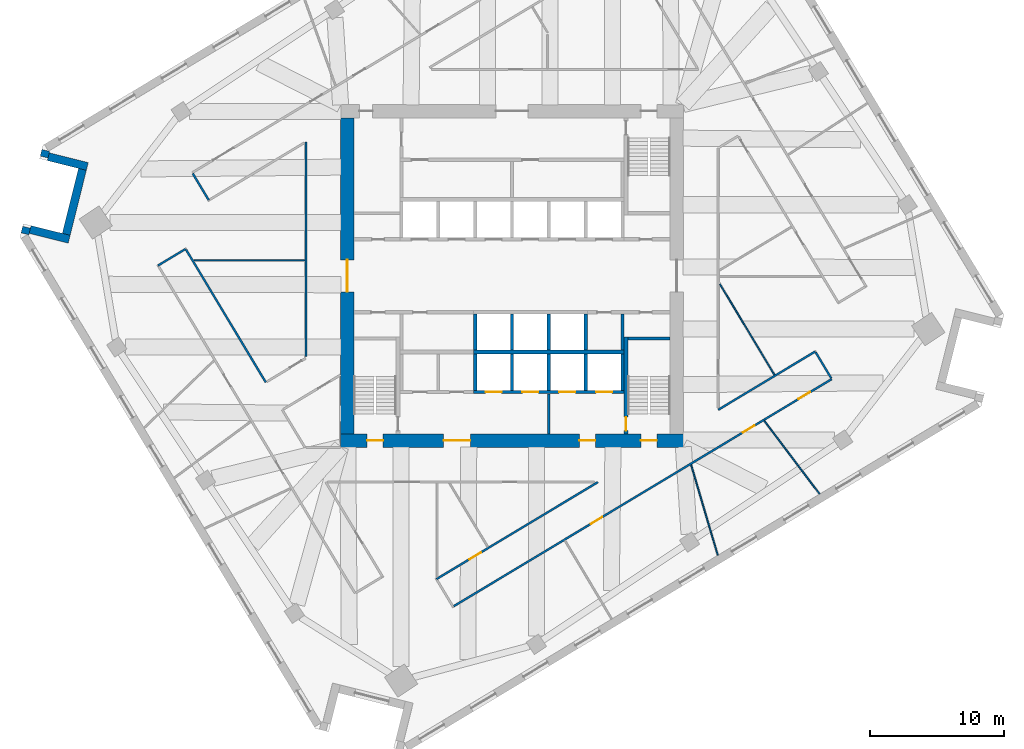
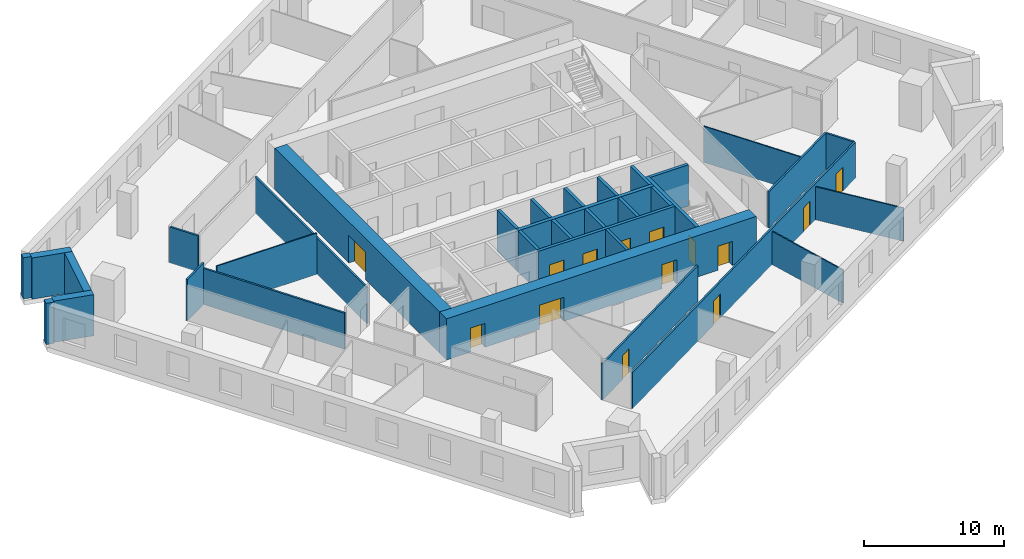
# One storey, part 7 of 14: 34 walls, 14 doors, 14 openings.
"""IFC4 building model written with IfcOpenShell, lengths in metres."""

from ifc_helpers import new_model, si_unit, direction, frame, frame_2d, origin, place, context, subcontext, project, spatial, rectangle, extrude, material, layer, layer_set, type_object, element, fill, save


model = new_model("IFC4")

# Units and contexts
model_context = context("Model", 3, precision=1e-05, world=origin(), true_north=direction((0.0, 1.0)))
body_context = subcontext(model_context, "Body", "Model", "MODEL_VIEW")
ifc_project = project(units=[si_unit("LENGTHUNIT", "METRE"), si_unit("AREAUNIT", "SQUARE_METRE"), si_unit("VOLUMEUNIT", "CUBIC_METRE"), si_unit("PLANEANGLEUNIT", "RADIAN"), si_unit("MASSUNIT", "GRAM", prefix="KILO")], contexts=[model_context])

# Site, building, storey
site_placement = place(None, origin())
site = spatial("IfcSite", under=ifc_project, at=site_placement, CompositionType="ELEMENT")
building_placement = place(site_placement, origin())
building = spatial("IfcBuilding", under=site, at=building_placement, Name="Dilmun Exchange Tower", CompositionType="ELEMENT")
storey_placement = place(building_placement, frame((0.0, 0.0, 151.699951171875)))
storey = spatial("IfcBuildingStorey", under=building, at=storey_placement, Name="L35", CompositionType="ELEMENT", Elevation=151.699951171875)

# Walls
ifc_material_1 = material(Name="Concrete C40/50", Category="concrete")
ifc_layer_1 = layer(ifc_material_1, 0.199951171875)
ifc_layer_set_1 = layer_set([ifc_layer_1], Name="Concrete C40/50")
wall_type_1 = type_object("IfcWallType", Name="Core partition wall 200", PredefinedType="PARTITIONING", material=ifc_layer_set_1)
wall_1_placement = place(storey_placement, frame((2.75, -11.794921875, 0.0), z_axis=(0.0, 0.0, 1.0), x_axis=(0.0, 1.0, 0.0)))
element("IfcWall", 1, at=wall_1_placement, inside=storey, type_object=wall_type_1, Name="L35 core partition wall 01", PredefinedType="PARTITIONING", context=body_context, shape_type="SweptSolid", body=[
    extrude(rectangle(XDim=2.989990234375, YDim=0.199951171875, at=frame_2d((1.4951171875, 0.0))), origin(), (0.0, 0.0, 1.0), 3.60009765625),
])
ifc_layer_2 = layer(ifc_material_1, 0.25)
ifc_layer_set_2 = layer_set([ifc_layer_2], Name="Concrete C40/50")
wall_type_2 = type_object("IfcWallType", Name="Core partition wall 250", PredefinedType="PARTITIONING", material=ifc_layer_set_2)
wall_2_placement = place(storey_placement, frame((8.25, -5.544921875, 0.0), z_axis=(0.0, 0.0, 1.0), x_axis=(0.0, 1.0, 0.0)))
element("IfcWall", 2, at=wall_2_placement, inside=storey, type_object=wall_type_2, Name="L35 core partition wall 07", PredefinedType="PARTITIONING", context=body_context, shape_type="SweptSolid", body=[
    extrude(rectangle(XDim=2.68994140625, YDim=0.25, at=frame_2d((1.344970703125, 0.0))), origin(), (0.0, 0.0, 1.0), 3.60009765625),
])

# Wall, openings, doors
ifc_material_2 = material(Name="Concrete C70/85", Category="concrete")
ifc_layer_3 = layer(ifc_material_2, 1.0)
ifc_layer_set_3 = layer_set([ifc_layer_3], Name="Concrete C70/85")
wall_type_3 = type_object("IfcWallType", Name="Core shear wall 1000 Concrete C70/85", PredefinedType="SHEAR", material=ifc_layer_set_3)
wall_3_placement = place(storey_placement, frame((-12.800048828125, -12.300048828125, 0.0), z_axis=(0.0, 0.0, 1.0), x_axis=(1.0, 0.0, 0.0)))
wall_3 = element("IfcWall", 3, at=wall_3_placement, inside=storey, type_object=wall_type_3, Name="L35 core shear wall S", PredefinedType="SHEAR", context=body_context, shape_type="SweptSolid", body=[
    extrude(rectangle(XDim=25.60009765625, YDim=1.0, at=frame_2d((12.800048828125, 0.0))), origin(), (0.0, 0.0, 1.0), 3.60009765625),
])
opening_1_placement = place(wall_3_placement, frame((7.699951171875, 0.0, 0.0)))
opening_1 = element("IfcOpeningElement", 4, at=opening_1_placement, cuts=wall_3, Name="Opening CD2", PredefinedType="OPENING", context=body_context, shape_type="SweptSolid", body=[
    extrude(rectangle(XDim=2.0, YDim=2.10009765625, at=frame_2d((1.0, 1.050048828125))), frame((0.0, 0.510009765625, 0.0), z_axis=(0.0, -1.0, 0.0), x_axis=(1.0, 0.0, 0.0)), (0.0, 0.0, 1.0), 1.02001953125),
])
opening_2_placement = place(wall_3_placement, frame((17.824951171875, 0.0, 0.0)))
opening_2 = element("IfcOpeningElement", 5, at=opening_2_placement, cuts=wall_3, Name="Opening CD3", PredefinedType="OPENING", context=body_context, shape_type="SweptSolid", body=[
    extrude(rectangle(XDim=1.199951171875, YDim=2.10009765625, at=frame_2d((0.60009765625, 1.050048828125))), frame((0.0, 0.510009765625, 0.0), z_axis=(0.0, -1.0, 0.0), x_axis=(1.0, 0.0, 0.0)), (0.0, 0.0, 1.0), 1.02001953125),
])
opening_3_placement = place(wall_3_placement, frame((1.97509765625, 0.0, 0.0)))
opening_3 = element("IfcOpeningElement", 6, at=opening_3_placement, cuts=wall_3, Name="Opening CD3", PredefinedType="OPENING", context=body_context, shape_type="SweptSolid", body=[
    extrude(rectangle(XDim=1.199951171875, YDim=2.10009765625, at=frame_2d((0.60009765625, 1.050048828125))), frame((0.0, 0.510009765625, 0.0), z_axis=(0.0, -1.0, 0.0), x_axis=(1.0, 0.0, 0.0)), (0.0, 0.0, 1.0), 1.02001953125),
])
opening_4_placement = place(wall_3_placement, frame((22.425048828125, 0.0, 0.0)))
opening_4 = element("IfcOpeningElement", 7, at=opening_4_placement, cuts=wall_3, Name="Opening CD3", PredefinedType="OPENING", context=body_context, shape_type="SweptSolid", body=[
    extrude(rectangle(XDim=1.199951171875, YDim=2.10009765625, at=frame_2d((0.60009765625, 1.050048828125))), frame((0.0, 0.510009765625, 0.0), z_axis=(0.0, -1.0, 0.0), x_axis=(1.0, 0.0, 0.0)), (0.0, 0.0, 1.0), 1.02001953125),
])
ifc_material_3 = material(Name="Fire-rated steel door set", Category="steel")
door_type_1 = type_object("IfcDoorType", Name="Core service door 2000x2100", OperationType="DOUBLE_DOOR_DOUBLE_SWING", PredefinedType="DOOR", material=ifc_material_3)
door_1_placement = place(opening_1_placement, origin())
door_1 = element("IfcDoor", 8, at=door_1_placement, inside=storey, type_object=door_type_1, Name="L35 door South service lobby", OperationType="SINGLE_SWING_LEFT", OverallHeight=2.10009765625, OverallWidth=2.0, PredefinedType="DOOR", context=body_context, shape_type="SweptSolid", body=[
    extrude(rectangle(XDim=2.0, YDim=2.10009765625, at=frame_2d((1.0, 1.050048828125))), frame((0.0, 0.02490234375, 0.0), z_axis=(0.0, -1.0, 0.0), x_axis=(1.0, 0.0, 0.0)), (0.0, 0.0, 1.0), 0.050048828125),
])
fill(opening_1, door_1)
door_type_2 = type_object("IfcDoorType", Name="Stair exit door 1200x2100", OperationType="SINGLE_SWING_LEFT", PredefinedType="DOOR", material=ifc_material_3)
door_2_placement = place(opening_2_placement, origin())
door_2 = element("IfcDoor", 9, at=door_2_placement, inside=storey, type_object=door_type_2, Name="L35 door Fire-fighting lobby", OperationType="SINGLE_SWING_LEFT", OverallHeight=2.10009765625, OverallWidth=1.199951171875, PredefinedType="DOOR", context=body_context, shape_type="SweptSolid", body=[
    extrude(rectangle(XDim=1.199951171875, YDim=2.10009765625, at=frame_2d((0.60009765625, 1.050048828125))), frame((0.0, 0.02490234375, 0.0), z_axis=(0.0, -1.0, 0.0), x_axis=(1.0, 0.0, 0.0)), (0.0, 0.0, 1.0), 0.050048828125),
])
fill(opening_2, door_2)
door_3_placement = place(opening_3_placement, origin())
door_3 = element("IfcDoor", 10, at=door_3_placement, inside=storey, type_object=door_type_2, Name="L35 door Stair ST2", OperationType="SINGLE_SWING_LEFT", OverallHeight=2.10009765625, OverallWidth=1.199951171875, PredefinedType="DOOR", context=body_context, shape_type="SweptSolid", body=[
    extrude(rectangle(XDim=1.199951171875, YDim=2.10009765625, at=frame_2d((0.60009765625, 1.050048828125))), frame((0.0, 0.02490234375, 0.0), z_axis=(0.0, -1.0, 0.0), x_axis=(1.0, 0.0, 0.0)), (0.0, 0.0, 1.0), 0.050048828125),
])
fill(opening_3, door_3)
door_4_placement = place(opening_4_placement, origin())
door_4 = element("IfcDoor", 11, at=door_4_placement, inside=storey, type_object=door_type_2, Name="L35 door Stair ST3", OperationType="SINGLE_SWING_LEFT", OverallHeight=2.10009765625, OverallWidth=1.199951171875, PredefinedType="DOOR", context=body_context, shape_type="SweptSolid", body=[
    extrude(rectangle(XDim=1.199951171875, YDim=2.10009765625, at=frame_2d((0.60009765625, 1.050048828125))), frame((0.0, 0.02490234375, 0.0), z_axis=(0.0, -1.0, 0.0), x_axis=(1.0, 0.0, 0.0)), (0.0, 0.0, 1.0), 0.050048828125),
])
fill(opening_4, door_4)

# Wall, opening, door
wall_4_placement = place(storey_placement, frame((-12.300048828125, -11.800048828125, 0.0), z_axis=(0.0, 0.0, 1.0), x_axis=(0.0, 1.0, 0.0)))
wall_4 = element("IfcWall", 12, at=wall_4_placement, inside=storey, type_object=wall_type_3, Name="L35 core shear wall W", PredefinedType="SHEAR", context=body_context, shape_type="SweptSolid", body=[
    extrude(rectangle(XDim=23.60009765625, YDim=1.0, at=frame_2d((11.800048828125, 0.0))), origin(), (0.0, 0.0, 1.0), 3.60009765625),
])
opening_5_placement = place(wall_4_placement, frame((10.60009765625, 0.0, 0.0)))
opening_5 = element("IfcOpeningElement", 13, at=opening_5_placement, cuts=wall_4, Name="Opening CD1", PredefinedType="OPENING", context=body_context, shape_type="SweptSolid", body=[
    extrude(rectangle(XDim=2.39990234375, YDim=2.39990234375, at=frame_2d((1.199951171875, 1.199951171875))), frame((0.0, 0.510009765625, 0.0), z_axis=(0.0, -1.0, 0.0), x_axis=(1.0, 0.0, 0.0)), (0.0, 0.0, 1.0), 1.02001953125),
])
door_type_3 = type_object("IfcDoorType", Name="Core lobby door 2400x2400", OperationType="DOUBLE_DOOR_DOUBLE_SWING", PredefinedType="DOOR", material=ifc_material_3)
door_5_placement = place(opening_5_placement, origin())
door_5 = element("IfcDoor", 14, at=door_5_placement, inside=storey, type_object=door_type_3, Name="L35 door Central lift lobby", OperationType="SINGLE_SWING_LEFT", OverallHeight=2.39990234375, OverallWidth=2.39990234375, PredefinedType="DOOR", context=body_context, shape_type="SweptSolid", body=[
    extrude(rectangle(XDim=2.39990234375, YDim=2.39990234375, at=frame_2d((1.199951171875, 1.199951171875))), frame((0.0, 0.02490234375, 0.0), z_axis=(0.0, -1.0, 0.0), x_axis=(1.0, 0.0, 0.0)), (0.0, 0.0, 1.0), 0.050048828125),
])
fill(opening_5, door_5)

# Walls
ifc_material_4 = material(Name="Corridor wall 150")
ifc_layer_4 = layer(ifc_material_4, 0.14990234375)
ifc_layer_set_4 = layer_set([ifc_layer_4], Name="Corridor wall 150")
wall_type_4 = type_object("IfcWallType", Name="Corridor wall 150", PredefinedType="PARTITIONING", material=ifc_layer_set_4)
wall_5_placement = place(storey_placement, frame((-26.427001953125, 0.77490234375, 0.0), z_axis=(0.0, 0.0, 1.0), x_axis=(0.857133645358, 0.515094082664, 0.0)))
element("IfcWall", 15, at=wall_5_placement, inside=storey, type_object=wall_type_4, Name="Corridor wall", PredefinedType="PARTITIONING", context=body_context, shape_type="SweptSolid", body=[
    extrude(rectangle(XDim=2.399658203125, YDim=0.14990234375, at=frame_2d((1.19970703125, 0.0))), origin(), (0.0, 0.0, 1.0), 3.60009765625),
])
wall_6_placement = place(storey_placement, frame((-24.331298828125, 1.94677734375, 0.0), z_axis=(0.0, 0.0, 1.0), x_axis=(0.51502118809, -0.857177447101, 0.0)))
element("IfcWall", 16, at=wall_6_placement, inside=storey, type_object=wall_type_4, Name="Corridor wall", PredefinedType="PARTITIONING", context=body_context, shape_type="SweptSolid", body=[
    extrude(rectangle(XDim=11.545654296875, YDim=0.14990234375, at=frame_2d((5.77294921875, 0.0))), origin(), (0.0, 0.0, 1.0), 3.150146484375),
])
wall_7_placement = place(storey_placement, frame((-23.83740234375, 7.642578125, 0.0), z_axis=(0.0, 0.0, 1.0), x_axis=(0.514912515352, -0.857242731981, 0.0)))
element("IfcWall", 17, at=wall_7_placement, inside=storey, type_object=wall_type_4, Name="Corridor wall", PredefinedType="PARTITIONING", context=body_context, shape_type="SweptSolid", body=[
    extrude(rectangle(XDim=2.32568359375, YDim=0.14990234375, at=frame_2d((1.162841796875, 0.0))), origin(), (0.0, 0.0, 1.0), 3.150146484375),
])
wall_8_placement = place(storey_placement, frame((-15.39990234375, -6.0234375, 0.0), z_axis=(0.0, 0.0, 1.0), x_axis=(0.0, 1.0, 0.0)))
element("IfcWall", 18, at=wall_8_placement, inside=storey, type_object=wall_type_4, Name="Corridor wall", PredefinedType="PARTITIONING", context=body_context, shape_type="SweptSolid", body=[
    extrude(rectangle(XDim=16.0234375, YDim=0.14990234375, at=frame_2d((8.01171875, 0.0))), origin(), (0.0, 0.0, 1.0), 3.150146484375),
])

# Wall, opening, door
wall_9_placement = place(storey_placement, frame((-5.64111328125, -22.64208984375, 0.0), z_axis=(0.0, 0.0, 1.0), x_axis=(0.857171047011, 0.515031839954, 0.0)))
wall_9 = element("IfcWall", 19, at=wall_9_placement, inside=storey, type_object=wall_type_4, Name="Corridor wall", PredefinedType="PARTITIONING", context=body_context, shape_type="SweptSolid", body=[
    extrude(rectangle(XDim=14.0615234375, YDim=0.14990234375, at=frame_2d((7.03076171875, 0.0))), origin(), (0.0, 0.0, 1.0), 3.150146484375),
])
opening_6_placement = place(wall_9_placement, frame((2.867431640625, 0.0, 0.0)))
opening_6 = element("IfcOpeningElement", 20, at=opening_6_placement, cuts=wall_9, Name="Opening TF34-D11", PredefinedType="OPENING", context=body_context, shape_type="SweptSolid", body=[
    extrude(rectangle(XDim=1.0, YDim=2.10009765625, at=frame_2d((0.5, 1.050048828125))), frame((0.0, 0.0849609375, 0.0), z_axis=(0.0, -1.0, 0.0), x_axis=(1.0, 0.0, 0.0)), (0.0, 0.0, 1.0), 0.169921875),
])
ifc_material_5 = material(Name="Fire door 1000 x 2100")
door_type_4 = type_object("IfcDoorType", Name="Fire door 1000 x 2100", OperationType="NOTDEFINED", PredefinedType="DOOR", material=ifc_material_5)
door_6_placement = place(opening_6_placement, origin())
door_6 = element("IfcDoor", 21, at=door_6_placement, inside=storey, type_object=door_type_4, Name="Door TF34-D11", OperationType="SINGLE_SWING_LEFT", OverallHeight=2.10009765625, OverallWidth=1.0, PredefinedType="DOOR", context=body_context, shape_type="SweptSolid", body=[
    extrude(rectangle(XDim=1.0, YDim=2.10009765625, at=frame_2d((0.5, 1.050048828125))), frame((0.0, 0.02490234375, 0.0), z_axis=(0.0, -1.0, 0.0), x_axis=(1.0, 0.0, 0.0)), (0.0, 0.0, 1.0), 0.050048828125),
])
fill(opening_6, door_6)

# Wall, openings, doors
wall_10_placement = place(storey_placement, frame((-4.3408203125, -24.661376953125, 0.0), z_axis=(0.0, 0.0, 1.0), x_axis=(0.85716751976, 0.515037710336, 0.0)))
wall_10 = element("IfcWall", 22, at=wall_10_placement, inside=storey, type_object=wall_type_4, Name="Corridor wall", PredefinedType="PARTITIONING", context=body_context, shape_type="SweptSolid", body=[
    extrude(rectangle(XDim=32.918701171875, YDim=0.14990234375, at=frame_2d((16.45947265625, 0.0))), origin(), (0.0, 0.0, 1.0), 3.150146484375),
])
opening_7_placement = place(wall_10_placement, frame((11.932373046875, 0.0, 0.0)))
opening_7 = element("IfcOpeningElement", 23, at=opening_7_placement, cuts=wall_10, Name="Opening TF34-D16", PredefinedType="OPENING", context=body_context, shape_type="SweptSolid", body=[
    extrude(rectangle(XDim=1.0, YDim=2.10009765625, at=frame_2d((0.5, 1.050048828125))), frame((0.0, 0.0849609375, 0.0), z_axis=(0.0, -1.0, 0.0), x_axis=(1.0, 0.0, 0.0)), (0.0, 0.0, 1.0), 0.169921875),
])
opening_8_placement = place(wall_10_placement, frame((25.1796875, 0.0, 0.0)))
opening_8 = element("IfcOpeningElement", 24, at=opening_8_placement, cuts=wall_10, Name="Opening TF34-D19", PredefinedType="OPENING", context=body_context, shape_type="SweptSolid", body=[
    extrude(rectangle(XDim=1.0, YDim=2.10009765625, at=frame_2d((0.5, 1.050048828125))), frame((0.0, 0.0849609375, 0.0), z_axis=(0.0, -1.0, 0.0), x_axis=(1.0, 0.0, 0.0)), (0.0, 0.0, 1.0), 0.169921875),
])
opening_9_placement = place(wall_10_placement, frame((30.03466796875, 0.0, 0.0)))
opening_9 = element("IfcOpeningElement", 25, at=opening_9_placement, cuts=wall_10, Name="Opening TF34-D24", PredefinedType="OPENING", context=body_context, shape_type="SweptSolid", body=[
    extrude(rectangle(XDim=1.0, YDim=2.10009765625, at=frame_2d((0.5, 1.050048828125))), frame((0.0, 0.0849609375, 0.0), z_axis=(0.0, -1.0, 0.0), x_axis=(1.0, 0.0, 0.0)), (0.0, 0.0, 1.0), 0.169921875),
])
door_7_placement = place(opening_7_placement, frame((1.0, 0.0, 0.0), z_axis=(0.0, 0.0, 1.0), x_axis=(-1.0, 0.0, 0.0)))
door_7 = element("IfcDoor", 26, at=door_7_placement, inside=storey, type_object=door_type_4, Name="Door TF34-D16", OperationType="SINGLE_SWING_RIGHT", OverallHeight=2.10009765625, OverallWidth=1.0, PredefinedType="DOOR", context=body_context, shape_type="SweptSolid", body=[
    extrude(rectangle(XDim=1.0, YDim=2.10009765625, at=frame_2d((0.5, 1.050048828125))), frame((0.0, 0.02490234375, 0.0), z_axis=(0.0, -1.0, 0.0), x_axis=(1.0, 0.0, 0.0)), (0.0, 0.0, 1.0), 0.050048828125),
])
fill(opening_7, door_7)
door_8_placement = place(opening_8_placement, frame((1.0, 0.0, 0.0), z_axis=(0.0, 0.0, 1.0), x_axis=(-1.0, 0.0, 0.0)))
door_8 = element("IfcDoor", 27, at=door_8_placement, inside=storey, type_object=door_type_4, Name="Door TF34-D19", OperationType="SINGLE_SWING_LEFT", OverallHeight=2.10009765625, OverallWidth=1.0, PredefinedType="DOOR", context=body_context, shape_type="SweptSolid", body=[
    extrude(rectangle(XDim=1.0, YDim=2.10009765625, at=frame_2d((0.5, 1.050048828125))), frame((0.0, 0.02490234375, 0.0), z_axis=(0.0, -1.0, 0.0), x_axis=(1.0, 0.0, 0.0)), (0.0, 0.0, 1.0), 0.050048828125),
])
fill(opening_8, door_8)
door_9_placement = place(opening_9_placement, frame((1.0, 0.0, 0.0), z_axis=(0.0, 0.0, 1.0), x_axis=(-1.0, 0.0, 0.0)))
door_9 = element("IfcDoor", 28, at=door_9_placement, inside=storey, type_object=door_type_4, Name="Door TF34-D24", OperationType="SINGLE_SWING_RIGHT", OverallHeight=2.10009765625, OverallWidth=1.0, PredefinedType="DOOR", context=body_context, shape_type="SweptSolid", body=[
    extrude(rectangle(XDim=1.0, YDim=2.10009765625, at=frame_2d((0.5, 1.050048828125))), frame((0.0, 0.02490234375, 0.0), z_axis=(0.0, -1.0, 0.0), x_axis=(1.0, 0.0, 0.0)), (0.0, 0.0, 1.0), 0.050048828125),
])
fill(opening_9, door_9)

# Walls
wall_11_placement = place(storey_placement, frame((15.39990234375, -10.0, 0.0), z_axis=(0.0, 0.0, 1.0), x_axis=(0.857122913924, 0.515111939705, 0.0)))
element("IfcWall", 29, at=wall_11_placement, inside=storey, type_object=wall_type_4, Name="Corridor wall", PredefinedType="PARTITIONING", context=body_context, shape_type="SweptSolid", body=[
    extrude(rectangle(XDim=8.44677734375, YDim=0.14990234375, at=frame_2d((4.223388671875, 0.0))), origin(), (0.0, 0.0, 1.0), 3.150146484375),
])
wall_12_placement = place(storey_placement, frame((22.6787109375, -5.71337890625, 0.0), z_axis=(0.0, 0.0, 1.0), x_axis=(0.514878598907, -0.857263103363, 0.0)))
element("IfcWall", 30, at=wall_12_placement, inside=storey, type_object=wall_type_4, Name="Corridor wall", PredefinedType="PARTITIONING", context=body_context, shape_type="SweptSolid", body=[
    extrude(rectangle(XDim=2.25048828125, YDim=0.14990234375, at=frame_2d((1.125244140625, 0.0))), origin(), (0.0, 0.0, 1.0), 3.150146484375),
])
ifc_layer_5 = layer(ifc_material_1, 0.300048828125)
ifc_layer_set_5 = layer_set([ifc_layer_5], Name="Concrete C40/50")
wall_type_5 = type_object("IfcWallType", Name="Lift shaft shared wall 300", PredefinedType="SOLIDWALL", material=ifc_layer_set_5)
wall_13_placement = place(storey_placement, frame((-2.875, -5.699951171875, 0.0), z_axis=(0.0, 0.0, 1.0), x_axis=(1.0, 0.0, 0.0)))
element("IfcWall", 31, at=wall_13_placement, inside=storey, type_object=wall_type_5, Name="L35 lift shaft rear wall S", PredefinedType="SOLIDWALL", context=body_context, shape_type="SweptSolid", body=[
    extrude(rectangle(XDim=11.25, YDim=0.300048828125, at=frame_2d((5.625, 0.0))), origin(), (0.0, 0.0, 1.0), 3.60009765625),
])
ifc_layer_6 = layer(ifc_material_1, 0.25)
ifc_layer_set_6 = layer_set([ifc_layer_6], Name="Concrete C40/50")
wall_type_6 = type_object("IfcWallType", Name="Lift shaft wall 250", PredefinedType="SOLIDWALL", material=ifc_layer_set_6)
for number, where, z_axis, x_axis, name in (
    (32, (-2.75, -5.550048828125, 0.0), (0.0, 0.0, 1.0), (0.0, 1.0, 0.0), "L35 lift shaft divider S12"),
    (33, (0.0, -5.550048828125, 0.0), (0.0, 0.0, 1.0), (0.0, 1.0, 0.0), "L35 lift shaft divider S13"),
    (34, (2.75, -5.550048828125, 0.0), (0.0, 0.0, 1.0), (0.0, 1.0, 0.0), "L35 lift shaft divider S14"),
    (35, (5.5, -5.550048828125, 0.0), (0.0, 0.0, 1.0), (0.0, 1.0, 0.0), "L35 lift shaft divider S15"),
):
    element("IfcWall", number, at=place(storey_placement, frame(where, z_axis=z_axis, x_axis=x_axis)), inside=storey, type_object=wall_type_6, Name=name, PredefinedType="SOLIDWALL", context=body_context, shape_type="SweptSolid", body=[
        extrude(rectangle(XDim=2.699951171875, YDim=0.25, at=frame_2d((1.35009765625, 0.0))), origin(), (0.0, 0.0, 1.0), 3.60009765625),
    ])

# Wall, openings, doors
wall_14_placement = place(storey_placement, frame((-2.875, -8.675048828125, 0.0), z_axis=(0.0, 0.0, 1.0), x_axis=(1.0, 0.0, 0.0)))
wall_14 = element("IfcWall", 36, at=wall_14_placement, inside=storey, type_object=wall_type_6, Name="L35 lift shaft front wall S2", PredefinedType="SOLIDWALL", context=body_context, shape_type="SweptSolid", body=[
    extrude(rectangle(XDim=11.25, YDim=0.25, at=frame_2d((5.625, 0.0))), origin(), (0.0, 0.0, 1.0), 3.60009765625),
])
opening_10_placement = place(wall_14_placement, frame((0.89990234375, 0.0, 0.0)))
opening_10 = element("IfcOpeningElement", 37, at=opening_10_placement, cuts=wall_14, Name="Opening LD", PredefinedType="OPENING", context=body_context, shape_type="SweptSolid", body=[
    extrude(rectangle(XDim=1.199951171875, YDim=2.10009765625, at=frame_2d((0.60009765625, 1.050048828125))), frame((0.0, 0.135009765625, 0.0), z_axis=(0.0, -1.0, 0.0), x_axis=(1.0, 0.0, 0.0)), (0.0, 0.0, 1.0), 0.27001953125),
])
opening_11_placement = place(wall_14_placement, frame((3.64990234375, 0.0, 0.0)))
opening_11 = element("IfcOpeningElement", 38, at=opening_11_placement, cuts=wall_14, Name="Opening LD", PredefinedType="OPENING", context=body_context, shape_type="SweptSolid", body=[
    extrude(rectangle(XDim=1.199951171875, YDim=2.10009765625, at=frame_2d((0.60009765625, 1.050048828125))), frame((0.0, 0.135009765625, 0.0), z_axis=(0.0, -1.0, 0.0), x_axis=(1.0, 0.0, 0.0)), (0.0, 0.0, 1.0), 0.27001953125),
])
opening_12_placement = place(wall_14_placement, frame((6.39990234375, 0.0, 0.0)))
opening_12 = element("IfcOpeningElement", 39, at=opening_12_placement, cuts=wall_14, Name="Opening LD", PredefinedType="OPENING", context=body_context, shape_type="SweptSolid", body=[
    extrude(rectangle(XDim=1.199951171875, YDim=2.10009765625, at=frame_2d((0.60009765625, 1.050048828125))), frame((0.0, 0.135009765625, 0.0), z_axis=(0.0, -1.0, 0.0), x_axis=(1.0, 0.0, 0.0)), (0.0, 0.0, 1.0), 0.27001953125),
])
opening_13_placement = place(wall_14_placement, frame((9.14990234375, 0.0, 0.0)))
opening_13 = element("IfcOpeningElement", 40, at=opening_13_placement, cuts=wall_14, Name="Opening LD", PredefinedType="OPENING", context=body_context, shape_type="SweptSolid", body=[
    extrude(rectangle(XDim=1.199951171875, YDim=2.10009765625, at=frame_2d((0.60009765625, 1.050048828125))), frame((0.0, 0.135009765625, 0.0), z_axis=(0.0, -1.0, 0.0), x_axis=(1.0, 0.0, 0.0)), (0.0, 0.0, 1.0), 0.27001953125),
])
door_type_5 = type_object("IfcDoorType", Name="Lift landing door 1200x2100", OperationType="DOUBLE_DOOR_SLIDING", PredefinedType="DOOR", material=ifc_material_3)
door_10_placement = place(opening_10_placement, origin())
door_10 = element("IfcDoor", 41, at=door_10_placement, inside=storey, type_object=door_type_5, Name="L35 landing door SV1", OperationType="DOUBLE_DOOR_SLIDING", OverallHeight=2.10009765625, OverallWidth=1.199951171875, PredefinedType="DOOR", context=body_context, shape_type="SweptSolid", body=[
    extrude(rectangle(XDim=1.199951171875, YDim=2.10009765625, at=frame_2d((0.60009765625, 1.050048828125))), frame((0.0, 0.02490234375, 0.0), z_axis=(0.0, -1.0, 0.0), x_axis=(1.0, 0.0, 0.0)), (0.0, 0.0, 1.0), 0.050048828125),
])
fill(opening_10, door_10)
door_11_placement = place(opening_11_placement, origin())
door_11 = element("IfcDoor", 42, at=door_11_placement, inside=storey, type_object=door_type_5, Name="L35 landing door SV2", OperationType="DOUBLE_DOOR_SLIDING", OverallHeight=2.10009765625, OverallWidth=1.199951171875, PredefinedType="DOOR", context=body_context, shape_type="SweptSolid", body=[
    extrude(rectangle(XDim=1.199951171875, YDim=2.10009765625, at=frame_2d((0.60009765625, 1.050048828125))), frame((0.0, 0.02490234375, 0.0), z_axis=(0.0, -1.0, 0.0), x_axis=(1.0, 0.0, 0.0)), (0.0, 0.0, 1.0), 0.050048828125),
])
fill(opening_11, door_11)
door_12_placement = place(opening_12_placement, origin())
door_12 = element("IfcDoor", 43, at=door_12_placement, inside=storey, type_object=door_type_5, Name="L35 landing door FF1", OperationType="DOUBLE_DOOR_SLIDING", OverallHeight=2.10009765625, OverallWidth=1.199951171875, PredefinedType="DOOR", context=body_context, shape_type="SweptSolid", body=[
    extrude(rectangle(XDim=1.199951171875, YDim=2.10009765625, at=frame_2d((0.60009765625, 1.050048828125))), frame((0.0, 0.02490234375, 0.0), z_axis=(0.0, -1.0, 0.0), x_axis=(1.0, 0.0, 0.0)), (0.0, 0.0, 1.0), 0.050048828125),
])
fill(opening_12, door_12)
door_13_placement = place(opening_13_placement, origin())
door_13 = element("IfcDoor", 44, at=door_13_placement, inside=storey, type_object=door_type_5, Name="L35 landing door FF2", OperationType="DOUBLE_DOOR_SLIDING", OverallHeight=2.10009765625, OverallWidth=1.199951171875, PredefinedType="DOOR", context=body_context, shape_type="SweptSolid", body=[
    extrude(rectangle(XDim=1.199951171875, YDim=2.10009765625, at=frame_2d((0.60009765625, 1.050048828125))), frame((0.0, 0.02490234375, 0.0), z_axis=(0.0, -1.0, 0.0), x_axis=(1.0, 0.0, 0.0)), (0.0, 0.0, 1.0), 0.050048828125),
])
fill(opening_13, door_13)

# Walls
for number, where, z_axis, x_axis, name in (
    (45, (-2.75, -8.550048828125, 0.0), (0.0, 0.0, 1.0), (0.0, 1.0, 0.0), "L35 lift shaft divider S22"),
    (46, (0.0, -8.550048828125, 0.0), (0.0, 0.0, 1.0), (0.0, 1.0, 0.0), "L35 lift shaft divider S23"),
    (47, (2.75, -8.550048828125, 0.0), (0.0, 0.0, 1.0), (0.0, 1.0, 0.0), "L35 lift shaft divider S24"),
    (48, (5.5, -8.550048828125, 0.0), (0.0, 0.0, 1.0), (0.0, 1.0, 0.0), "L35 lift shaft divider S25"),
    (49, (8.25, -8.550048828125, 0.0), (0.0, 0.0, 1.0), (0.0, 1.0, 0.0), "L35 lift shaft divider S26"),
):
    element("IfcWall", number, at=place(storey_placement, frame(where, z_axis=z_axis, x_axis=x_axis)), inside=storey, type_object=wall_type_6, Name=name, PredefinedType="SOLIDWALL", context=body_context, shape_type="SweptSolid", body=[
        extrude(rectangle(XDim=2.699951171875, YDim=0.25, at=frame_2d((1.35009765625, 0.0))), origin(), (0.0, 0.0, 1.0), 3.60009765625),
    ])
ifc_material_6 = material(Name="Partition 100")
ifc_layer_7 = layer(ifc_material_6, 0.10009765625)
ifc_layer_set_7 = layer_set([ifc_layer_7], Name="Partition 100")
wall_type_7 = type_object("IfcWallType", Name="Partition 100", PredefinedType="PARTITIONING", material=ifc_layer_set_7)
wall_15_placement = place(storey_placement, frame((-23.743408203125, 1.1640625, 0.0), z_axis=(0.0, 0.0, 1.0), x_axis=(1.0, 0.0, 0.0)))
element("IfcWall", 50, at=wall_15_placement, inside=storey, type_object=wall_type_7, Name="Partition", PredefinedType="PARTITIONING", context=body_context, shape_type="SweptSolid", body=[
    extrude(rectangle(XDim=8.268310546875, YDim=0.10009765625, at=frame_2d((4.13427734375, 0.0))), origin(), (0.0, 0.0, 1.0), 3.60009765625),
])
wall_16_placement = place(storey_placement, frame((13.376708984375, -14.117919921875, 0.0), z_axis=(0.0, 0.0, 1.0), x_axis=(0.282991293252, -0.959122478072, 0.0)))
element("IfcWall", 51, at=wall_16_placement, inside=storey, type_object=wall_type_7, Name="Partition", PredefinedType="PARTITIONING", context=body_context, shape_type="SweptSolid", body=[
    extrude(rectangle(XDim=7.032958984375, YDim=0.10009765625, at=frame_2d((3.5166015625, 0.0))), origin(), (0.0, 0.0, 1.0), 2.900146484375),
])
wall_17_placement = place(storey_placement, frame((15.517822265625, -0.60107421875, 0.0), z_axis=(0.0, 0.0, 1.0), x_axis=(0.515094007399, -0.857133690588, 0.0)))
element("IfcWall", 52, at=wall_17_placement, inside=storey, type_object=wall_type_7, Name="Partition", PredefinedType="PARTITIONING", context=body_context, shape_type="SweptSolid", body=[
    extrude(rectangle(XDim=7.920166015625, YDim=0.10009765625, at=frame_2d((3.9599609375, 0.0))), origin(), (0.0, 0.0, 1.0), 3.150146484375),
])
wall_18_placement = place(storey_placement, frame((18.837646484375, -10.827392578125, 0.0), z_axis=(0.0, 0.0, 1.0), x_axis=(0.603408389403, -0.797432326657, 0.0)))
element("IfcWall", 53, at=wall_18_placement, inside=storey, type_object=wall_type_7, Name="Partition", PredefinedType="PARTITIONING", context=body_context, shape_type="SweptSolid", body=[
    extrude(rectangle(XDim=6.85400390625, YDim=0.10009765625, at=frame_2d((3.427001953125, 0.0))), origin(), (0.0, 0.0, 1.0), 2.900146484375),
])
ifc_material_7 = material(Name="Precast concrete C50/60", Category="concrete")
ifc_layer_8 = layer(ifc_material_7, 0.60009765625)
ifc_layer_set_8 = layer_set([ifc_layer_8], Name="Precast concrete C50/60")
wall_type_8 = type_object("IfcWallType", Name="Precast stone-clad wall 600", PredefinedType="STANDARD", material=ifc_layer_set_8)
wall_19_placement = place(storey_placement, frame((-34.8134765625, 9.3662109375, 0.0), z_axis=(0.0, 0.0, 1.0), x_axis=(-0.242086198947, -0.970254746074, 0.0)))
element("IfcWall", 54, at=wall_19_placement, inside=storey, type_object=wall_type_8, Name="Facade wall L35-04", PredefinedType="STANDARD", context=body_context, shape_type="SweptSolid", body=[
    extrude(rectangle(XDim=0.51123046875, YDim=0.60009765625, at=frame_2d((0.255615234375, 0.0))), origin(), (0.0, 0.0, 1.0), 3.60009765625),
])
wall_20_placement = place(storey_placement, frame((-34.6220703125, 8.894287109375, 0.0), z_axis=(0.0, 0.0, 1.0), x_axis=(0.970309818485, -0.241865367822, 0.0)))
element("IfcWall", 55, at=wall_20_placement, inside=storey, type_object=wall_type_8, Name="Facade wall L35-05", PredefinedType="STANDARD", context=body_context, shape_type="SweptSolid", body=[
    extrude(rectangle(XDim=3.0, YDim=0.60009765625, at=frame_2d((1.5, 0.0))), origin(), (0.0, 0.0, 1.0), 3.60009765625),
])
wall_21_placement = place(storey_placement, frame((-32.07470703125, 7.9501953125, 0.0), z_axis=(0.0, 0.0, 1.0), x_axis=(-0.241892195562, -0.970303130844, 0.0)))
element("IfcWall", 56, at=wall_21_placement, inside=storey, type_object=wall_type_8, Name="Facade wall L35-06", PredefinedType="STANDARD", context=body_context, shape_type="SweptSolid", body=[
    extrude(rectangle(XDim=5.0, YDim=0.60009765625, at=frame_2d((2.5, 0.0))), origin(), (0.0, 0.0, 1.0), 3.60009765625),
])
wall_22_placement = place(storey_placement, frame((-33.06591796875, 2.735107421875, 0.0), z_axis=(0.0, 0.0, 1.0), x_axis=(-0.970309818485, 0.241865367822, 0.0)))
element("IfcWall", 57, at=wall_22_placement, inside=storey, type_object=wall_type_8, Name="Facade wall L35-07", PredefinedType="STANDARD", context=body_context, shape_type="SweptSolid", body=[
    extrude(rectangle(XDim=3.0, YDim=0.60009765625, at=frame_2d((1.5, 0.0))), origin(), (0.0, 0.0, 1.0), 3.60009765625),
])
wall_23_placement = place(storey_placement, frame((-36.24365234375, 3.63037109375, 0.0), z_axis=(0.0, 0.0, 1.0), x_axis=(-0.241636616978, -0.970366809683, 0.0)))
element("IfcWall", 58, at=wall_23_placement, inside=storey, type_object=wall_type_8, Name="Facade wall L35-08", PredefinedType="STANDARD", context=body_context, shape_type="SweptSolid", body=[
    extrude(rectangle(XDim=0.51123046875, YDim=0.60009765625, at=frame_2d((0.255615234375, 0.0))), origin(), (0.0, 0.0, 1.0), 3.60009765625),
])
ifc_layer_9 = layer(ifc_material_1, 0.25)
ifc_layer_set_9 = layer_set([ifc_layer_9], Name="Concrete C40/50")
wall_type_9 = type_object("IfcWallType", Name="Stair end wall 250", PredefinedType="SOLIDWALL", material=ifc_layer_set_9)
wall_24_placement = place(storey_placement, frame((8.64990234375, -4.675048828125, 0.0), z_axis=(0.0, 0.0, 1.0), x_axis=(1.0, 0.0, 0.0)))
element("IfcWall", 59, at=wall_24_placement, inside=storey, type_object=wall_type_9, Name="L35 ST3 far wall", PredefinedType="SOLIDWALL", context=body_context, shape_type="SweptSolid", body=[
    extrude(rectangle(XDim=3.150146484375, YDim=0.25, at=frame_2d((1.5751953125, 0.0))), origin(), (0.0, 0.0, 1.0), 3.60009765625),
])

# Wall, opening, door
ifc_layer_10 = layer(ifc_material_1, 0.27490234375)
ifc_layer_set_10 = layer_set([ifc_layer_10], Name="Concrete C40/50")
wall_type_10 = type_object("IfcWallType", Name="Stair wall 275", PredefinedType="SOLIDWALL", material=ifc_layer_set_10)
wall_25_placement = place(storey_placement, frame((8.512451171875, -4.550048828125, 0.0), z_axis=(0.0, 0.0, 1.0), x_axis=(0.0, -1.0, 0.0)))
wall_25 = element("IfcWall", 60, at=wall_25_placement, inside=storey, type_object=wall_type_10, Name="L35 ST3 wall to lift block", PredefinedType="SOLIDWALL", context=body_context, shape_type="SweptSolid", body=[
    extrude(rectangle(XDim=7.25, YDim=0.27490234375, at=frame_2d((3.625, 0.0))), origin(), (0.0, 0.0, 1.0), 3.60009765625),
])
opening_14_placement = place(wall_25_placement, frame((6.0, 0.0, 0.0)))
opening_14 = element("IfcOpeningElement", 61, at=opening_14_placement, cuts=wall_25, Name="Opening CD4", PredefinedType="OPENING", context=body_context, shape_type="SweptSolid", body=[
    extrude(rectangle(XDim=1.0, YDim=2.10009765625, at=frame_2d((0.5, 1.050048828125))), frame((0.0, 0.1474609375, 0.0), z_axis=(0.0, -1.0, 0.0), x_axis=(1.0, 0.0, 0.0)), (0.0, 0.0, 1.0), 0.294921875),
])
door_type_6 = type_object("IfcDoorType", Name="Core room door 1000x2100", OperationType="SINGLE_SWING_LEFT", PredefinedType="DOOR", material=ifc_material_3)
door_14_placement = place(opening_14_placement, origin())
door_14 = element("IfcDoor", 62, at=door_14_placement, inside=storey, type_object=door_type_6, Name="L35 door ST3 from lobby", OperationType="SINGLE_SWING_LEFT", OverallHeight=2.10009765625, OverallWidth=1.0, PredefinedType="DOOR", context=body_context, shape_type="SweptSolid", body=[
    extrude(rectangle(XDim=1.0, YDim=2.10009765625, at=frame_2d((0.5, 1.050048828125))), frame((0.0, 0.02490234375, 0.0), z_axis=(0.0, -1.0, 0.0), x_axis=(1.0, 0.0, 0.0)), (0.0, 0.0, 1.0), 0.050048828125),
])
fill(opening_14, door_14)

save(model, "model.ifc")
